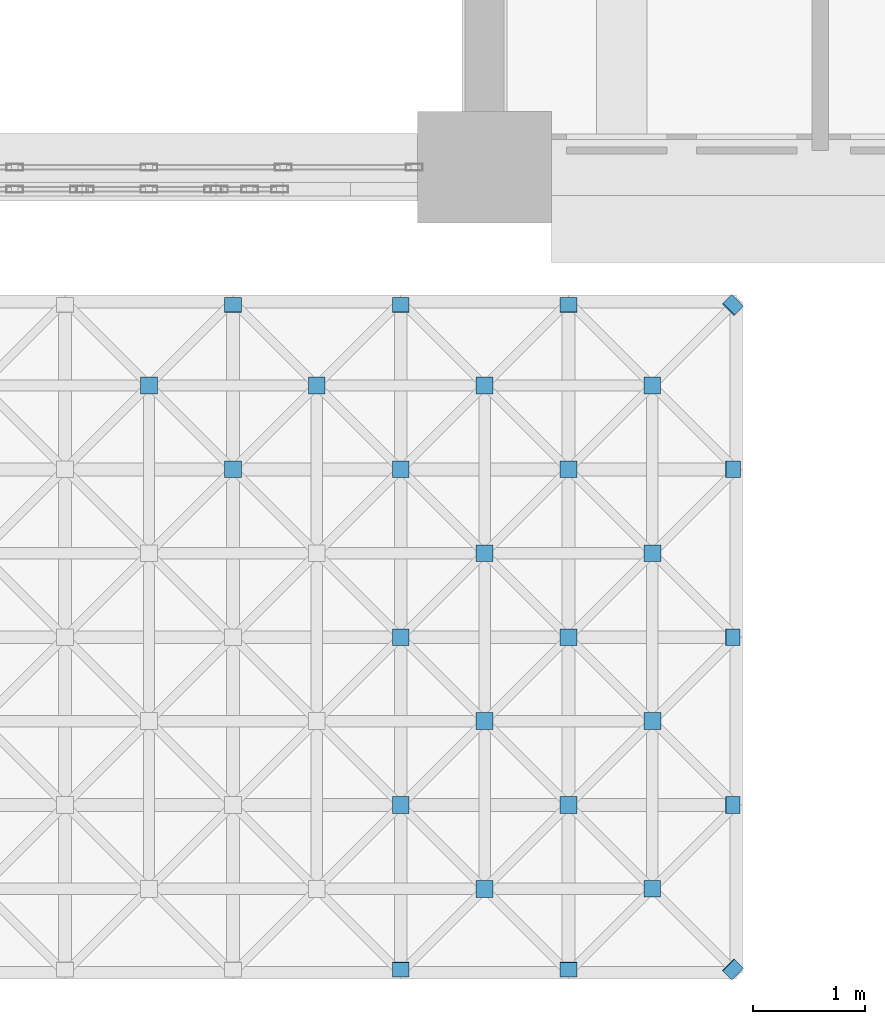
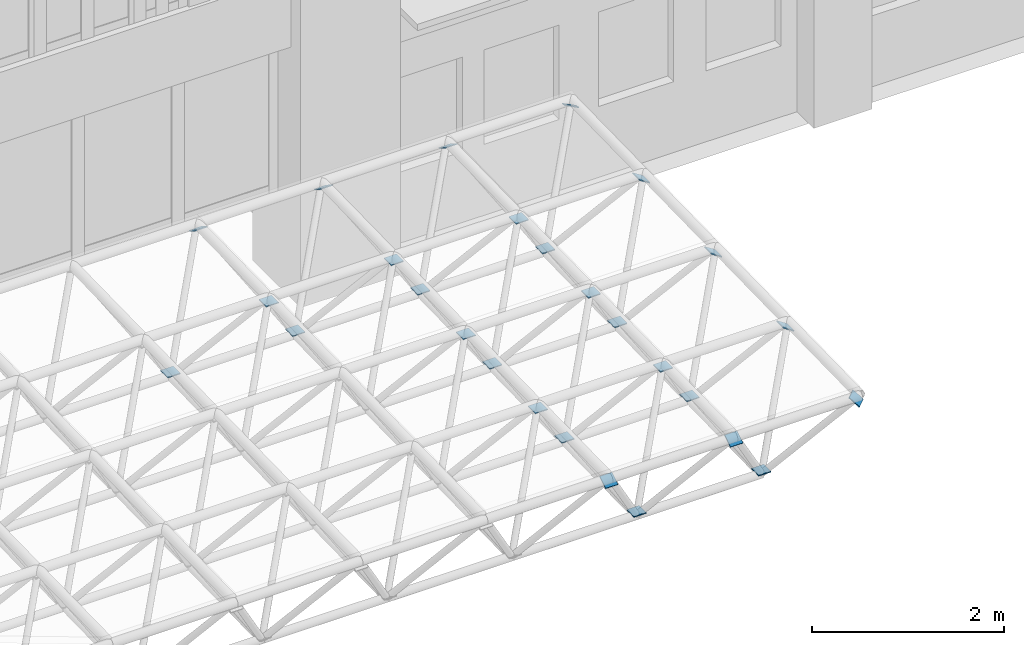
# One storey, part 80 of 103: 27 discrete accessories.
"""IFC4 building model written with IfcOpenShell, lengths in metres."""

from ifc_helpers import new_model, si_unit, direction, frame, origin, origin_2d, place, context, subcontext, project, spatial, rectangle, extrude, material, material_profile, profile_set, type_object, element, save


model = new_model("IFC4")

# Units and contexts
model_context = context("Model", 3, precision=1e-05, world=origin(), true_north=direction((0.0, 1.0)))
body_context = subcontext(model_context, "Body", "Model", "MODEL_VIEW")
ifc_project = project(units=[si_unit("LENGTHUNIT", "METRE"), si_unit("AREAUNIT", "SQUARE_METRE"), si_unit("VOLUMEUNIT", "CUBIC_METRE"), si_unit("PLANEANGLEUNIT", "RADIAN"), si_unit("MASSUNIT", "GRAM", prefix="KILO")], contexts=[model_context])

# Site, building, storey
site_placement = place(None, origin())
site = spatial("IfcSite", under=ifc_project, at=site_placement, CompositionType="ELEMENT")
building_placement = place(site_placement, origin())
building = spatial("IfcBuilding", under=site, at=building_placement, Name="Laocheng Heights Fire and Rescue Headquarters", CompositionType="ELEMENT")
storey_placement = place(building_placement, frame((0.0, 0.0, 4.199951171875)))
storey = spatial("IfcBuildingStorey", under=building, at=storey_placement, Name="L01", CompositionType="ELEMENT", Elevation=4.199951171875)

# Discrete accessories
ifc_material_1 = material(Name="Steel Q355B, dark grey painted", Category="steel")
ifc_material_profile_1 = material_profile(ifc_material_1, rectangle(XDim=0.14990234375, YDim=0.14990234375, at=origin_2d()), Name="GUSSET PLATE 150 x 150 x 12 FOR APRON CANOPY WEB CHS 76.1x4")
ifc_profile_set_1 = profile_set([ifc_material_profile_1], Name="Steel Q355B, dark grey painted")
discrete_accessory_type_1 = type_object("IfcDiscreteAccessoryType", Name="GUSSET PLATE 150 x 150 x 12 FOR APRON CANOPY WEB CHS 76.1x4", PredefinedType="BRACKET", material=ifc_profile_set_1)
for number, where, z_axis, x_axis, name in (
    (1, (56.216552734375, -1.2333984375, 2.021728515625), (0.466866753268, 0.466866753268, 0.751046516127), (-0.707106781187, 0.707106781187, 0.0), "End plate at AC-W090 end 2"),
    (2, (56.216064453125, -7.166015625, 1.90234375), (0.466866753268, -0.466866753268, 0.751046516127), (0.707106781187, 0.707106781187, 0.0), "End plate at AC-W368 end 2"),
):
    element("IfcDiscreteAccessory", number, at=place(storey_placement, frame(where, z_axis=z_axis, x_axis=x_axis)), inside=storey, type_object=discrete_accessory_type_1, Name=name, PredefinedType="BRACKET", context=body_context, shape_type="SweptSolid", body=[
        extrude(rectangle(XDim=0.14990234375, YDim=0.14990234375, at=origin_2d()), origin(), (0.0, 0.0, 1.0), 0.011962890625),
    ])
ifc_material_2 = material(Name="Steel Q355B, dark grey painted", Category="steel")
ifc_material_profile_2 = material_profile(ifc_material_2, rectangle(XDim=0.14990234375, YDim=0.14990234375, at=origin_2d()), Name="NODE PLATE 150 x 150 x 12 FOR APRON CANOPY WEB CHS 76.1x4")
ifc_profile_set_2 = profile_set([ifc_material_profile_2], Name="Steel Q355B, dark grey painted")
discrete_accessory_type_2 = type_object("IfcDiscreteAccessoryType", Name="NODE PLATE 150 x 150 x 12 FOR APRON CANOPY WEB CHS 76.1x4", PredefinedType="BRACKET", material=ifc_profile_set_2)
discrete_accessory_1_placement = place(storey_placement, frame((51.0, -1.9501953125, 0.8984375), z_axis=(0.0, 0.0, 1.0), x_axis=(1.0, 0.0, 0.0)))
element("IfcDiscreteAccessory", 3, at=discrete_accessory_1_placement, inside=storey, type_object=discrete_accessory_type_2, Name="Node plate at AC-W077 end 1, AC-W078 end 1, AC-W079 end 1, AC-W080 end 1", PredefinedType="BRACKET", context=body_context, shape_type="SweptSolid", body=[
    extrude(rectangle(XDim=0.14990234375, YDim=0.14990234375, at=origin_2d()), origin(), (0.0, 0.0, 1.0), 0.01220703125),
])
for number, where, z_axis, x_axis, name in (
    (4, (51.75, -1.2275390625, 2.031494140625), (0.0, -0.526354614616, -0.850265146688), (1.0, 0.0, 0.0), "Node plate at AC-W078 end 2, AC-W081 end 2"),
    (5, (51.75, -2.69970703125, 2.002685546875), (0.0, 0.0, -1.0), (1.0, 0.0, 0.0), "Node plate at AC-W080 end 2, AC-W083 end 2, AC-W170 end 2, AC-W173 end 2"),
):
    element("IfcDiscreteAccessory", number, at=place(storey_placement, frame(where, z_axis=z_axis, x_axis=x_axis)), inside=storey, type_object=discrete_accessory_type_2, Name=name, PredefinedType="BRACKET", context=body_context, shape_type="SweptSolid", body=[
        extrude(rectangle(XDim=0.14990234375, YDim=0.14990234375, at=origin_2d()), origin(), (0.0, 0.0, 1.0), 0.011962890625),
    ])
discrete_accessory_2_placement = place(storey_placement, frame((52.5, -1.9501953125, 0.8984375), z_axis=(0.0, 0.0, 1.0), x_axis=(1.0, 0.0, 0.0)))
element("IfcDiscreteAccessory", 6, at=discrete_accessory_2_placement, inside=storey, type_object=discrete_accessory_type_2, Name="Node plate at AC-W081 end 1, AC-W082 end 1, AC-W083 end 1, AC-W084 end 1", PredefinedType="BRACKET", context=body_context, shape_type="SweptSolid", body=[
    extrude(rectangle(XDim=0.14990234375, YDim=0.14990234375, at=origin_2d()), origin(), (0.0, 0.0, 1.0), 0.01220703125),
])
for number, where, z_axis, x_axis, name in (
    (7, (53.25, -1.2275390625, 2.031494140625), (0.0, -0.526354614616, -0.850265146688), (1.0, 0.0, 0.0), "Node plate at AC-W082 end 2, AC-W085 end 2"),
    (8, (53.25, -2.69970703125, 2.002685546875), (0.0, 0.0, -1.0), (1.0, 0.0, 0.0), "Node plate at AC-W084 end 2, AC-W087 end 2, AC-W174 end 2, AC-W177 end 2"),
):
    element("IfcDiscreteAccessory", number, at=place(storey_placement, frame(where, z_axis=z_axis, x_axis=x_axis)), inside=storey, type_object=discrete_accessory_type_2, Name=name, PredefinedType="BRACKET", context=body_context, shape_type="SweptSolid", body=[
        extrude(rectangle(XDim=0.14990234375, YDim=0.14990234375, at=origin_2d()), origin(), (0.0, 0.0, 1.0), 0.011962890625),
    ])
discrete_accessory_3_placement = place(storey_placement, frame((54.0, -1.9501953125, 0.8984375), z_axis=(0.0, 0.0, 1.0), x_axis=(1.0, 0.0, 0.0)))
element("IfcDiscreteAccessory", 9, at=discrete_accessory_3_placement, inside=storey, type_object=discrete_accessory_type_2, Name="Node plate at AC-W085 end 1, AC-W086 end 1, AC-W087 end 1, AC-W088 end 1", PredefinedType="BRACKET", context=body_context, shape_type="SweptSolid", body=[
    extrude(rectangle(XDim=0.14990234375, YDim=0.14990234375, at=origin_2d()), origin(), (0.0, 0.0, 1.0), 0.01220703125),
])
for number, where, z_axis, x_axis, name in (
    (10, (54.75, -1.2275390625, 2.031494140625), (0.0, -0.526354614616, -0.850265146688), (1.0, 0.0, 0.0), "Node plate at AC-W086 end 2, AC-W089 end 2"),
    (11, (54.75, -2.69970703125, 2.002685546875), (0.0, 0.0, -1.0), (1.0, 0.0, 0.0), "Node plate at AC-W088 end 2, AC-W091 end 2, AC-W178 end 2, AC-W181 end 2"),
    (12, (55.498779296875, -1.951416015625, 0.896728515625), (0.0, 0.0, 1.0), (1.0, 0.0, 0.0), "Node plate at AC-W089 end 1, AC-W090 end 1, AC-W091 end 1, AC-W092 end 1"),
):
    element("IfcDiscreteAccessory", number, at=place(storey_placement, frame(where, z_axis=z_axis, x_axis=x_axis)), inside=storey, type_object=discrete_accessory_type_2, Name=name, PredefinedType="BRACKET", context=body_context, shape_type="SweptSolid", body=[
        extrude(rectangle(XDim=0.14990234375, YDim=0.14990234375, at=origin_2d()), origin(), (0.0, 0.0, 1.0), 0.011962890625),
    ])
discrete_accessory_4_placement = place(storey_placement, frame((56.222412109375, -2.69970703125, 2.001708984375), z_axis=(-0.540757591313, 0.0, -0.841178475377), x_axis=(0.0, -1.0, 0.0)))
element("IfcDiscreteAccessory", 13, at=discrete_accessory_4_placement, inside=storey, type_object=discrete_accessory_type_2, Name="Node plate at AC-W092 end 2, AC-W182 end 2", PredefinedType="BRACKET", context=body_context, shape_type="SweptSolid", body=[
    extrude(rectangle(XDim=0.14990234375, YDim=0.14990234375, at=origin_2d()), origin(), (0.0, 0.0, 1.0), 0.01220703125),
])
for number, where, z_axis, x_axis, name in (
    (14, (53.25, -4.19970703125, 1.97265625), (0.0, 0.0, -1.0), (1.0, 0.0, 0.0), "Node plate at AC-W176 end 2, AC-W179 end 2, AC-W266 end 2, AC-W269 end 2"),
    (15, (54.0, -3.4501953125, 0.86865234375), (0.0, 0.0, 1.0), (1.0, 0.0, 0.0), "Node plate at AC-W177 end 1, AC-W178 end 1, AC-W179 end 1, AC-W180 end 1"),
    (16, (54.75, -4.19970703125, 1.97265625), (0.0, 0.0, -1.0), (1.0, 0.0, 0.0), "Node plate at AC-W180 end 2, AC-W183 end 2, AC-W270 end 2, AC-W273 end 2"),
    (17, (55.5, -3.4501953125, 0.86865234375), (0.0, 0.0, 1.0), (1.0, 0.0, 0.0), "Node plate at AC-W181 end 1, AC-W182 end 1, AC-W183 end 1, AC-W184 end 1"),
    (18, (56.222412109375, -4.19970703125, 1.9716796875), (-0.549990569516, 0.0, -0.83517086482), (0.0, -1.0, 0.0), "Node plate at AC-W184 end 2, AC-W274 end 2"),
    (19, (53.25, -5.69970703125, 1.942626953125), (0.0, 0.0, -1.0), (1.0, 0.0, 0.0), "Node plate at AC-W268 end 2, AC-W271 end 2, AC-W358 end 2, AC-W361 end 2"),
    (20, (54.0, -4.9501953125, 0.838623046875), (0.0, 0.0, 1.0), (1.0, 0.0, 0.0), "Node plate at AC-W269 end 1, AC-W270 end 1, AC-W271 end 1, AC-W272 end 1"),
    (21, (54.75, -5.69970703125, 1.942626953125), (0.0, 0.0, -1.0), (1.0, 0.0, 0.0), "Node plate at AC-W272 end 2, AC-W275 end 2, AC-W362 end 2, AC-W365 end 2"),
    (22, (55.5, -4.9501953125, 0.838623046875), (0.0, 0.0, 1.0), (1.0, 0.0, 0.0), "Node plate at AC-W273 end 1, AC-W274 end 1, AC-W275 end 1, AC-W276 end 1"),
    (23, (56.222412109375, -5.69970703125, 1.941650390625), (-0.549990569516, 0.0, -0.83517086482), (0.0, -1.0, 0.0), "Node plate at AC-W276 end 2, AC-W366 end 2"),
    (24, (53.25, -7.172119140625, 1.911865234375), (0.0, 0.535542025358, -0.84450857845), (-1.0, 0.0, 0.0), "Node plate at AC-W360 end 2, AC-W363 end 2"),
    (25, (54.0, -6.4501953125, 0.80859375), (0.0, 0.0, 1.0), (1.0, 0.0, 0.0), "Node plate at AC-W361 end 1, AC-W362 end 1, AC-W363 end 1, AC-W364 end 1"),
    (26, (54.75, -7.172119140625, 1.911865234375), (0.0, 0.535542025358, -0.84450857845), (-1.0, 0.0, 0.0), "Node plate at AC-W364 end 2, AC-W367 end 2"),
):
    element("IfcDiscreteAccessory", number, at=place(storey_placement, frame(where, z_axis=z_axis, x_axis=x_axis)), inside=storey, type_object=discrete_accessory_type_2, Name=name, PredefinedType="BRACKET", context=body_context, shape_type="SweptSolid", body=[
        extrude(rectangle(XDim=0.14990234375, YDim=0.14990234375, at=origin_2d()), origin(), (0.0, 0.0, 1.0), 0.011962890625),
    ])
discrete_accessory_5_placement = place(storey_placement, frame((55.49853515625, -6.44873046875, 0.80615234375), z_axis=(0.0, 0.0, 1.0), x_axis=(1.0, 0.0, 0.0)))
element("IfcDiscreteAccessory", 27, at=discrete_accessory_5_placement, inside=storey, type_object=discrete_accessory_type_2, Name="Node plate at AC-W365 end 1, AC-W366 end 1, AC-W367 end 1, AC-W368 end 1", PredefinedType="BRACKET", context=body_context, shape_type="SweptSolid", body=[
    extrude(rectangle(XDim=0.14990234375, YDim=0.14990234375, at=origin_2d()), origin(), (0.0, 0.0, 1.0), 0.01220703125),
])

save(model, "model.ifc")
